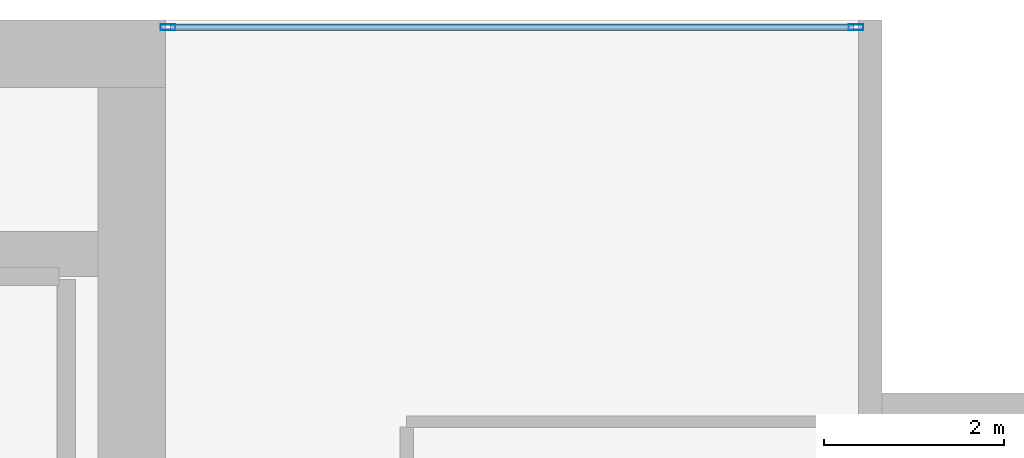
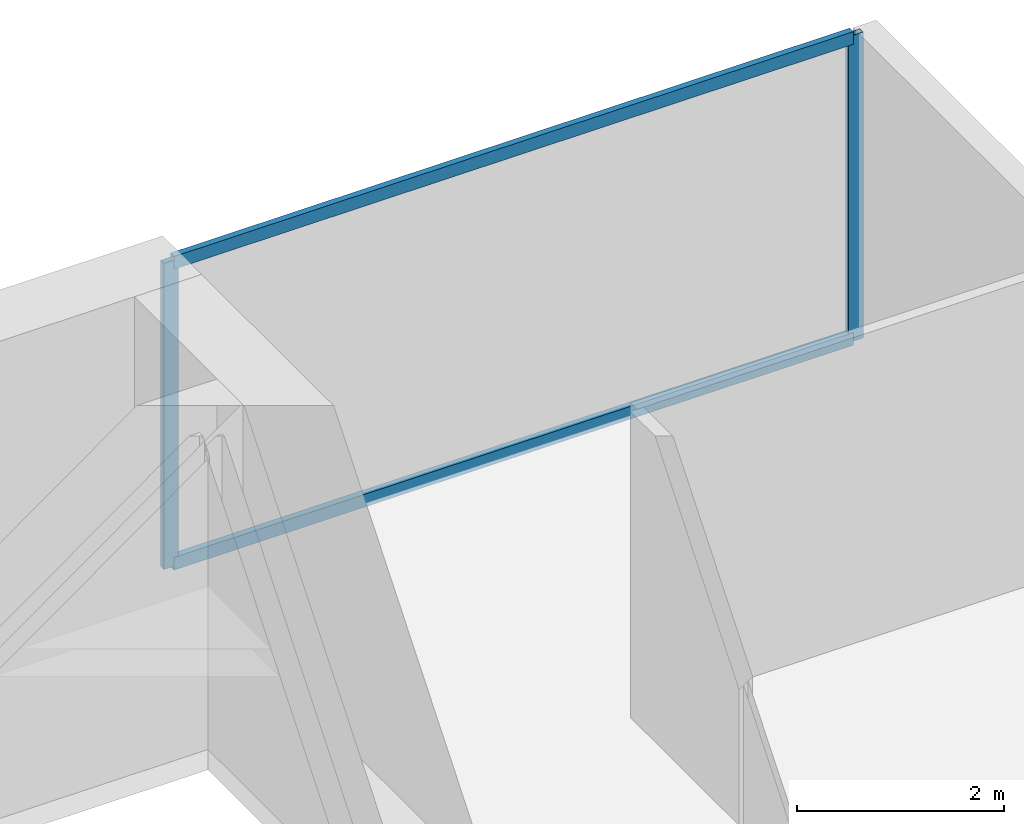
# One storey, part 25 of 34: 4 members, 1 element without a shape of its own.
"""IFC4 building model written with IfcOpenShell, lengths in metres."""

from ifc_helpers import new_model, si_unit, direction, frame, origin, origin_2d, place, context, subcontext, project, spatial, hollow_rectangle, extrude, material, layer, layer_set, material_profile, profile_set, type_object, element, aggregate, save


model = new_model("IFC4")

# Units and contexts
model_context = context("Model", 3, precision=1e-05, world=origin(), true_north=direction((0.0, 1.0)))
body_context = subcontext(model_context, "Body", "Model", "MODEL_VIEW")
ifc_project = project(units=[si_unit("LENGTHUNIT", "METRE"), si_unit("AREAUNIT", "SQUARE_METRE"), si_unit("VOLUMEUNIT", "CUBIC_METRE"), si_unit("PLANEANGLEUNIT", "RADIAN"), si_unit("MASSUNIT", "GRAM", prefix="KILO")], contexts=[model_context])

# Site, building, storey
site_placement = place(None, origin())
site = spatial("IfcSite", under=ifc_project, at=site_placement, CompositionType="ELEMENT")
building_placement = place(site_placement, origin())
building = spatial("IfcBuilding", under=site, at=building_placement, Name="Maruvema Waterfront Hotel and Observation Tower", CompositionType="ELEMENT")
storey_placement = place(building_placement, frame((0.0, 0.0, 192.85009765625)))
storey = spatial("IfcBuildingStorey", under=building, at=storey_placement, Name="L47", CompositionType="ELEMENT", Elevation=192.85009765625)

# Curtain wall, members
ifc_material_1 = material(Name="Anodised bronze aluminium and solar-control low-E IGU", Category="aluminium")
ifc_layer = layer(ifc_material_1, 0.159912109375, Name="Zone 2 Amber Inner Thermal Curtain Wall System CW-03")
ifc_layer_set = layer_set([ifc_layer], Name="Anodised bronze aluminium and solar-control low-E IGU")
curtain_wall_type = type_object("IfcCurtainWallType", Name="Zone 2 Amber Inner Thermal Curtain Wall System CW-03", PredefinedType="USERDEFINED", material=ifc_layer_set)
curtain_wall_placement = place(storey_placement, origin())
curtain_wall = element("IfcCurtainWall", 1, at=curtain_wall_placement, inside=storey, type_object=curtain_wall_type, Name="L47 Curtain Wall CW-L47-NE", ObjectType="UNITISED CURTAIN WALL", PredefinedType="USERDEFINED")
ifc_material_2 = material(Name="Anodised architectural bronze aluminium", Category="aluminium")
ifc_material_profile_1 = material_profile(ifc_material_2, hollow_rectangle(XDim=0.070068359375, YDim=0.14990234375, WallThickness=0.00390625, at=origin_2d()), Name="ALU-T70x150")
ifc_profile_set_1 = profile_set([ifc_material_profile_1], Name="Anodised architectural bronze aluminium")
member_type_1 = type_object("IfcMemberType", Name="Curtain Wall Horizontal Transom ALU-T70x150", PredefinedType="USERDEFINED", material=ifc_profile_set_1)
member_1_placement = place(storey_placement, frame((58.0400390625, 53.919921875, 0.02978515625), z_axis=(-1.0, 0.0, 0.0), x_axis=(0.0, -1.0, 0.0)))
member_1 = element("IfcMember", 2, at=member_1_placement, type_object=member_type_1, Name="CW-03 transom 1.1", ObjectType="TRANSOM", PredefinedType="USERDEFINED", context=body_context, shape_type="SweptSolid", body=[
    extrude(hollow_rectangle(XDim=0.070068359375, YDim=0.14990234375, WallThickness=0.00390625, at=origin_2d()), origin(), (0.0, 0.0, 1.0), 7.580078125),
])
member_2_placement = place(storey_placement, frame((58.0400390625, 53.919921875, 3.579833984375), z_axis=(-1.0, 0.0, 0.0), x_axis=(0.0, -1.0, 0.0)))
member_2 = element("IfcMember", 3, at=member_2_placement, type_object=member_type_1, Name="CW-03 transom 1.2", ObjectType="TRANSOM", PredefinedType="USERDEFINED", context=body_context, shape_type="SweptSolid", body=[
    extrude(hollow_rectangle(XDim=0.070068359375, YDim=0.14990234375, WallThickness=0.00390625, at=origin_2d()), origin(), (0.0, 0.0, 1.0), 7.580078125),
])
ifc_material_3 = material(Name="Anodised architectural bronze aluminium", Category="aluminium")
ifc_material_profile_2 = material_profile(ifc_material_3, hollow_rectangle(XDim=0.06494140625, YDim=0.1650390625, WallThickness=0.00390625, at=origin_2d()), Name="ALU-M65x165")
ifc_profile_set_2 = profile_set([ifc_material_profile_2], Name="Anodised architectural bronze aluminium")
member_type_2 = type_object("IfcMemberType", Name="Curtain Wall Primary Mullion ALU-M65x165", PredefinedType="MULLION", material=ifc_profile_set_2)
member_3_placement = place(storey_placement, frame((58.070068359375, 53.919921875, 0.0), z_axis=(0.0, 0.0, 1.0), x_axis=(0.0, -1.0, 0.0)))
member_3 = element("IfcMember", 4, at=member_3_placement, type_object=member_type_2, Name="CW-03 mullion 1", PredefinedType="MULLION", context=body_context, shape_type="SweptSolid", body=[
    extrude(hollow_rectangle(XDim=0.06494140625, YDim=0.1650390625, WallThickness=0.00390625, at=origin_2d()), origin(), (0.0, 0.0, 1.0), 3.60986328125),
])
member_4_placement = place(storey_placement, frame((50.429931640625, 53.919921875, 0.0), z_axis=(0.0, 0.0, 1.0), x_axis=(0.0, -1.0, 0.0)))
member_4 = element("IfcMember", 5, at=member_4_placement, type_object=member_type_2, Name="CW-03 mullion 2", PredefinedType="MULLION", context=body_context, shape_type="SweptSolid", body=[
    extrude(hollow_rectangle(XDim=0.06494140625, YDim=0.1650390625, WallThickness=0.00390625, at=origin_2d()), origin(), (0.0, 0.0, 1.0), 3.60986328125),
])
aggregate(curtain_wall, [member_3, member_4, member_1, member_2])

save(model, "model.ifc")
